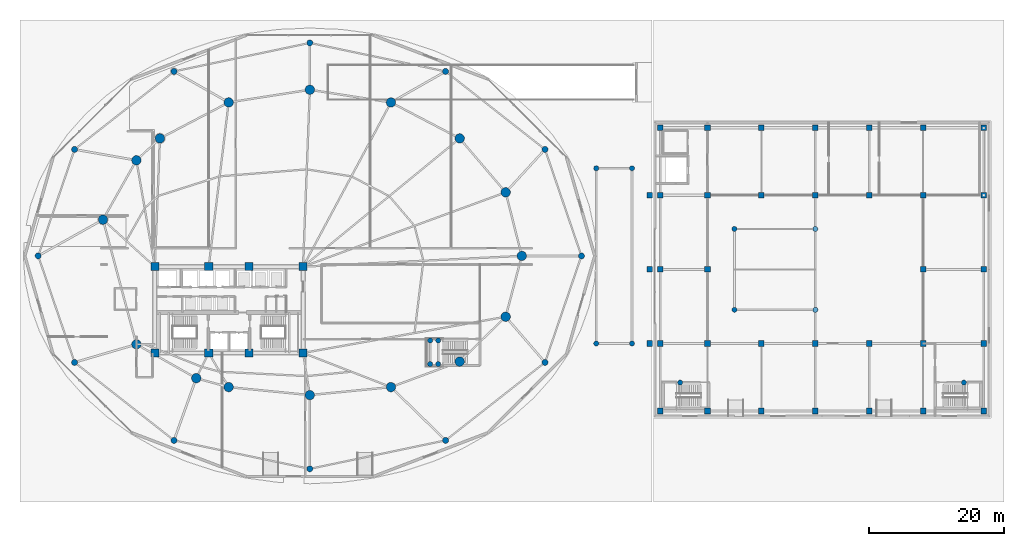
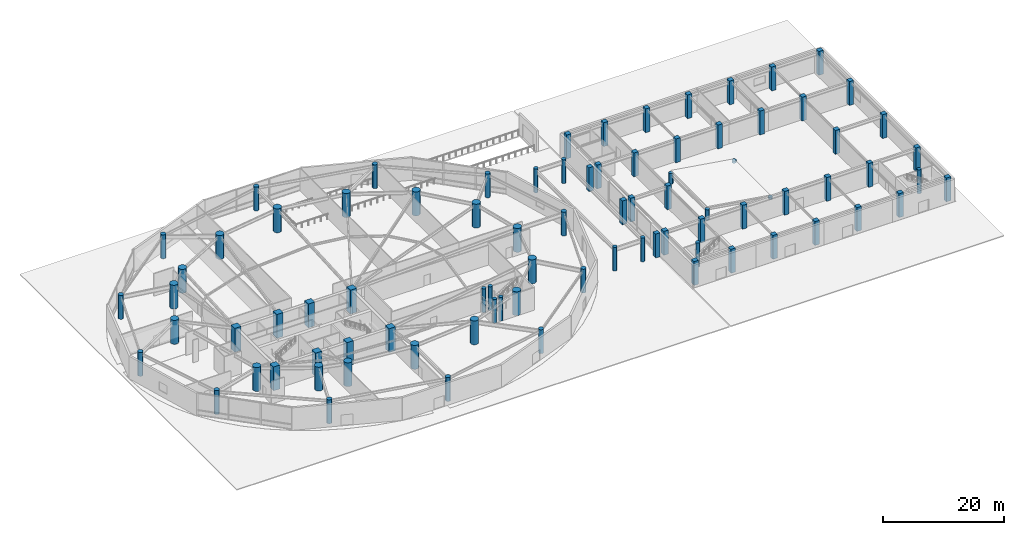
# One storey, part 1 of 35: 85 columns.
"""IFC4 building model written with IfcOpenShell, lengths in metres."""

from ifc_helpers import new_model, si_unit, direction, frame, origin, origin_2d, place, context, subcontext, project, spatial, rectangle, circle, extrude, material, material_profile, profile_set, type_object, element, save


model = new_model("IFC4")

# Units and contexts
model_context = context("Model", 3, precision=1e-05, world=origin(), true_north=direction((0.0, 1.0)))
body_context = subcontext(model_context, "Body", "Model", "MODEL_VIEW")
ifc_project = project(units=[si_unit("LENGTHUNIT", "METRE"), si_unit("AREAUNIT", "SQUARE_METRE"), si_unit("VOLUMEUNIT", "CUBIC_METRE"), si_unit("PLANEANGLEUNIT", "RADIAN"), si_unit("MASSUNIT", "GRAM", prefix="KILO")], contexts=[model_context])

# Site, building, storey
site_placement = place(None, origin())
site = spatial("IfcSite", under=ifc_project, at=site_placement, CompositionType="ELEMENT")
building_placement = place(site_placement, origin())
building = spatial("IfcBuilding", under=site, at=building_placement, Name="Kazevale Care Tower and Concert Hall", CompositionType="ELEMENT")
storey_placement = place(building_placement, origin())
storey = spatial("IfcBuildingStorey", under=building, at=storey_placement, Name="L00", CompositionType="ELEMENT", Elevation=0.0)

# Columns
ifc_material_1 = material(Name="Concrete C50", Category="concrete")
ifc_material_profile_1 = material_profile(ifc_material_1, rectangle(XDim=0.85009765625, YDim=0.85009765625, at=origin_2d()), Name="RC-SQ850")
ifc_profile_set_1 = profile_set([ifc_material_profile_1], Name="Concrete C50")
column_type_1 = type_object("IfcColumnType", Name="Concert Hall Column SQ850 C50", PredefinedType="COLUMN", material=ifc_profile_set_1)
for number, where, z_axis, x_axis, name in (
    (1, (97.0, 15.0, 0.0), (0.0, 0.0, 1.0), (1.0, 0.0, 0.0), "col:L00:HC-01"),
    (2, (97.0, 25.0, 0.0), (0.0, 0.0, 1.0), (1.0, 0.0, 0.0), "col:L00:HC-02"),
    (3, (97.0, 36.0, 0.0), (0.0, 0.0, 1.0), (1.0, 0.0, 0.0), "col:L00:HC-03"),
    (4, (97.0, 47.0, 0.0), (0.0, 0.0, 1.0), (1.0, 0.0, 0.0), "col:L00:HC-04"),
    (5, (97.0, 57.0, 0.0), (0.0, 0.0, 1.0), (1.0, 0.0, 0.0), "col:L00:HC-05"),
    (6, (104.0, 15.0, 0.0), (0.0, 0.0, 1.0), (1.0, 0.0, 0.0), "col:L00:HC-06"),
    (7, (104.0, 25.0, 0.0), (0.0, 0.0, 1.0), (1.0, 0.0, 0.0), "col:L00:HC-07"),
    (8, (104.0, 36.0, 0.0), (0.0, 0.0, 1.0), (1.0, 0.0, 0.0), "col:L00:HC-08"),
    (9, (104.0, 47.0, 0.0), (0.0, 0.0, 1.0), (1.0, 0.0, 0.0), "col:L00:HC-09"),
    (10, (104.0, 57.0, 0.0), (0.0, 0.0, 1.0), (1.0, 0.0, 0.0), "col:L00:HC-10"),
    (11, (112.0, 15.0, 0.0), (0.0, 0.0, 1.0), (1.0, 0.0, 0.0), "col:L00:HC-11"),
    (12, (112.0, 25.0, 0.0), (0.0, 0.0, 1.0), (1.0, 0.0, 0.0), "col:L00:HC-12"),
    (13, (112.0, 47.0, 0.0), (0.0, 0.0, 1.0), (1.0, 0.0, 0.0), "col:L00:HC-13"),
    (14, (112.0, 57.0, 0.0), (0.0, 0.0, 1.0), (1.0, 0.0, 0.0), "col:L00:HC-14"),
    (15, (120.0, 15.0, 0.0), (0.0, 0.0, 1.0), (1.0, 0.0, 0.0), "col:L00:HC-15"),
    (16, (120.0, 25.0, 0.0), (0.0, 0.0, 1.0), (1.0, 0.0, 0.0), "col:L00:HC-16"),
    (17, (120.0, 47.0, 0.0), (0.0, 0.0, 1.0), (1.0, 0.0, 0.0), "col:L00:HC-17"),
    (18, (120.0, 57.0, 0.0), (0.0, 0.0, 1.0), (1.0, 0.0, 0.0), "col:L00:HC-18"),
    (19, (128.0, 15.0, 0.0), (0.0, 0.0, 1.0), (1.0, 0.0, 0.0), "col:L00:HC-19"),
    (20, (128.0, 25.0, 0.0), (0.0, 0.0, 1.0), (1.0, 0.0, 0.0), "col:L00:HC-20"),
    (21, (128.0, 47.0, 0.0), (0.0, 0.0, 1.0), (1.0, 0.0, 0.0), "col:L00:HC-21"),
    (22, (128.0, 57.0, 0.0), (0.0, 0.0, 1.0), (1.0, 0.0, 0.0), "col:L00:HC-22"),
    (23, (136.0, 15.0, 0.0), (0.0, 0.0, 1.0), (1.0, 0.0, 0.0), "col:L00:HC-23"),
    (24, (136.0, 25.0, 0.0), (0.0, 0.0, 1.0), (1.0, 0.0, 0.0), "col:L00:HC-24"),
    (25, (136.0, 36.0, 0.0), (0.0, 0.0, 1.0), (1.0, 0.0, 0.0), "col:L00:HC-25"),
    (26, (136.0, 47.0, 0.0), (0.0, 0.0, 1.0), (1.0, 0.0, 0.0), "col:L00:HC-26"),
    (27, (136.0, 57.0, 0.0), (0.0, 0.0, 1.0), (1.0, 0.0, 0.0), "col:L00:HC-27"),
    (28, (145.0, 15.0, 0.0), (0.0, 0.0, 1.0), (1.0, 0.0, 0.0), "col:L00:HC-28"),
    (29, (145.0, 25.0, 0.0), (0.0, 0.0, 1.0), (1.0, 0.0, 0.0), "col:L00:HC-29"),
    (30, (145.0, 36.0, 0.0), (0.0, 0.0, 1.0), (1.0, 0.0, 0.0), "col:L00:HC-30"),
    (31, (145.0, 47.0, 0.0), (0.0, 0.0, 1.0), (1.0, 0.0, 0.0), "col:L00:HC-31"),
    (32, (145.0, 57.0, 0.0), (0.0, 0.0, 1.0), (1.0, 0.0, 0.0), "col:L00:HC-32"),
    (33, (95.449951171875, 25.0, 0.0), (0.0, 0.0, 1.0), (1.0, 0.0, 0.0), "col:L00:bseat:1"),
    (34, (95.449951171875, 36.0, 0.0), (0.0, 0.0, 1.0), (1.0, 0.0, 0.0), "col:L00:bseat:2"),
    (35, (95.449951171875, 47.0, 0.0), (0.0, 0.0, 1.0), (1.0, 0.0, 0.0), "col:L00:bseat:3"),
):
    element("IfcColumn", number, at=place(storey_placement, frame(where, z_axis=z_axis, x_axis=x_axis)), inside=storey, type_object=column_type_1, Name=name, PredefinedType="COLUMN", context=body_context, shape_type="SweptSolid", body=[
        extrude(rectangle(XDim=0.85009765625, YDim=0.85009765625, at=origin_2d()), origin(), (0.0, 0.0, 1.0), 4.800048828125),
    ])
ifc_material_2 = material(Name="Concrete C70", Category="concrete")
ifc_material_profile_2 = material_profile(ifc_material_2, rectangle(XDim=1.199951171875, YDim=1.199951171875, at=origin_2d()), Name="RC-SQ1200")
ifc_profile_set_2 = profile_set([ifc_material_profile_2], Name="Concrete C70")
column_type_2 = type_object("IfcColumnType", Name="Core Column SQ1200 C70", PredefinedType="COLUMN", material=ifc_profile_set_2)
for number, where, z_axis, x_axis, name in (
    (36, (22.0, 23.60009765625, 0.0), (0.0, 0.0, 1.0), (1.0, 0.0, 0.0), "col:L00:CC-01"),
    (37, (30.0, 23.60009765625, 0.0), (0.0, 0.0, 1.0), (1.0, 0.0, 0.0), "col:L00:CC-02"),
    (38, (36.0, 23.60009765625, 0.0), (0.0, 0.0, 1.0), (1.0, 0.0, 0.0), "col:L00:CC-03"),
    (39, (44.0, 23.60009765625, 0.0), (0.0, 0.0, 1.0), (1.0, 0.0, 0.0), "col:L00:CC-04"),
    (40, (44.0, 36.39990234375, 0.0), (0.0, 0.0, 1.0), (1.0, 0.0, 0.0), "col:L00:CC-05"),
    (41, (36.0, 36.39990234375, 0.0), (0.0, 0.0, 1.0), (1.0, 0.0, 0.0), "col:L00:CC-06"),
    (42, (30.0, 36.39990234375, 0.0), (0.0, 0.0, 1.0), (1.0, 0.0, 0.0), "col:L00:CC-07"),
    (43, (22.0, 36.39990234375, 0.0), (0.0, 0.0, 1.0), (1.0, 0.0, 0.0), "col:L00:CC-08"),
):
    element("IfcColumn", number, at=place(storey_placement, frame(where, z_axis=z_axis, x_axis=x_axis)), inside=storey, type_object=column_type_2, Name=name, PredefinedType="COLUMN", context=body_context, shape_type="SweptSolid", body=[
        extrude(rectangle(XDim=1.199951171875, YDim=1.199951171875, at=origin_2d()), origin(), (0.0, 0.0, 1.0), 4.800048828125),
    ])
ifc_material_profile_3 = material_profile(ifc_material_1, circle(Radius=0.375, at=origin_2d()), Name="RC-CIR750")
ifc_profile_set_3 = profile_set([ifc_material_profile_3], Name="Concrete C50")
column_type_3 = type_object("IfcColumnType", Name="Garden & Support Column CIR750 C50", PredefinedType="COLUMN", material=ifc_profile_set_3)
for number, where, z_axis, x_axis, name in (
    (44, (87.5, 25.0, 0.0), (0.0, 0.0, 1.0), (1.0, 0.0, 0.0), "col:L00:GC-01"),
    (45, (92.800048828125, 25.0, 0.0), (0.0, 0.0, 1.0), (1.0, 0.0, 0.0), "col:L00:GC-02"),
    (46, (92.800048828125, 51.0, 0.0), (0.0, 0.0, 1.0), (1.0, 0.0, 0.0), "col:L00:GC-03"),
    (47, (87.5, 51.0, 0.0), (0.0, 0.0, 1.0), (1.0, 0.0, 0.0), "col:L00:GC-04"),
    (48, (62.85009765625, 21.949951171875, 0.0), (0.0, 0.0, 1.0), (1.0, 0.0, 0.0), "col:L00:st3post:628_21"),
    (49, (62.85009765625, 25.449951171875, 0.0), (0.0, 0.0, 1.0), (1.0, 0.0, 0.0), "col:L00:st3post:628_25"),
    (50, (64.050048828125, 21.949951171875, 0.0), (0.0, 0.0, 1.0), (1.0, 0.0, 0.0), "col:L00:st3post:640_21"),
    (51, (64.050048828125, 25.449951171875, 0.0), (0.0, 0.0, 1.0), (1.0, 0.0, 0.0), "col:L00:st3post:640_25"),
    (52, (99.949951171875, 19.199951171875, 0.0), (0.0, 0.0, 1.0), (1.0, 0.0, 0.0), "col:L00:ST4:npost"),
    (53, (142.050048828125, 19.199951171875, 0.0), (0.0, 0.0, 1.0), (1.0, 0.0, 0.0), "col:L00:ST5:npost"),
):
    element("IfcColumn", number, at=place(storey_placement, frame(where, z_axis=z_axis, x_axis=x_axis)), inside=storey, type_object=column_type_3, Name=name, PredefinedType="COLUMN", context=body_context, shape_type="SweptSolid", body=[
        extrude(circle(Radius=0.375, at=origin_2d()), origin(), (0.0, 0.0, 1.0), 4.800048828125),
    ])
for number, where, z_axis, x_axis, name in (
    (54, (108.0, 30.0, 0.0), (0.0, 0.0, 1.0), (1.0, 0.0, 0.0), "col:L00:RKC-1"),
    (55, (108.0, 42.0, 0.0), (0.0, 0.0, 1.0), (1.0, 0.0, 0.0), "col:L00:RKC-2"),
):
    element("IfcColumn", number, at=place(storey_placement, frame(where, z_axis=z_axis, x_axis=x_axis)), inside=storey, type_object=column_type_3, Name=name, PredefinedType="COLUMN", context=body_context, shape_type="SweptSolid", body=[
        extrude(circle(Radius=0.375, at=origin_2d()), origin(), (0.0, 0.0, 1.0), 2.1298828125),
    ])
for number, where, z_axis, x_axis, name in (
    (56, (120.0, 30.0, 0.0), (0.0, 0.0, 1.0), (1.0, 0.0, 0.0), "col:L00:rkfront:1"),
    (57, (120.0, 42.0, 0.0), (0.0, 0.0, 1.0), (1.0, 0.0, 0.0), "col:L00:rkfront:2"),
):
    element("IfcColumn", number, at=place(storey_placement, frame(where, z_axis=z_axis, x_axis=x_axis)), inside=storey, type_object=column_type_3, Name=name, PredefinedType="COLUMN", context=body_context, shape_type="SweptSolid", body=[
        extrude(circle(Radius=0.375, at=origin_2d()), origin(), (0.0, 0.0, 1.0), 0.43994140625),
    ])
ifc_material_profile_4 = material_profile(ifc_material_2, circle(Radius=0.699951171875, at=origin_2d()), Name="RC-CIR1400")
ifc_profile_set_4 = profile_set([ifc_material_profile_4], Name="Concrete C70")
column_type_4 = type_object("IfcColumnType", Name="Perimeter Column CIR1400 C70", PredefinedType="COLUMN", material=ifc_profile_set_4)
for number, where, z_axis, x_axis, name in (
    (58, (76.449951171875, 38.0, 0.0), (0.0, 0.0, 1.0), (1.0, 0.0, 0.0), "col:L00:PC-01"),
    (59, (74.06005859375, 47.429931640625, 0.0), (0.0, 0.0, 1.0), (1.0, 0.0, 0.0), "col:L00:PC-02"),
    (60, (67.239990234375, 55.429931640625, 0.0), (0.0, 0.0, 1.0), (1.0, 0.0, 0.0), "col:L00:PC-03"),
    (61, (57.0400390625, 60.77001953125, 0.0), (0.0, 0.0, 1.0), (1.0, 0.0, 0.0), "col:L00:PC-04"),
    (62, (45.0, 62.64990234375, 0.0), (0.0, 0.0, 1.0), (1.0, 0.0, 0.0), "col:L00:PC-05"),
    (63, (32.9599609375, 60.77001953125, 0.0), (0.0, 0.0, 1.0), (1.0, 0.0, 0.0), "col:L00:PC-06"),
    (64, (22.760009765625, 55.429931640625, 0.0), (0.0, 0.0, 1.0), (1.0, 0.0, 0.0), "col:L00:PC-07"),
    (65, (19.27001953125, 52.179931640625, 0.0), (0.0, 0.0, 1.0), (1.0, 0.0, 0.0), "col:L00:PC-08"),
    (66, (14.31005859375, 43.3798828125, 0.0), (0.0, 0.0, 1.0), (1.0, 0.0, 0.0), "col:L00:PC-09"),
    (67, (19.27001953125, 24.8798828125, 0.0), (0.0, 0.0, 1.0), (1.0, 0.0, 0.0), "col:L00:PC-10"),
    (68, (28.14990234375, 19.85009765625, 0.0), (0.0, 0.0, 1.0), (1.0, 0.0, 0.0), "col:L00:PC-11"),
    (69, (32.9599609375, 18.530029296875, 0.0), (0.0, 0.0, 1.0), (1.0, 0.0, 0.0), "col:L00:PC-12"),
    (70, (45.0, 17.35009765625, 0.0), (0.0, 0.0, 1.0), (1.0, 0.0, 0.0), "col:L00:PC-13"),
    (71, (57.0400390625, 18.530029296875, 0.0), (0.0, 0.0, 1.0), (1.0, 0.0, 0.0), "col:L00:PC-14"),
    (72, (67.239990234375, 22.31005859375, 0.0), (0.0, 0.0, 1.0), (1.0, 0.0, 0.0), "col:L00:PC-15"),
    (73, (74.06005859375, 28.969970703125, 0.0), (0.0, 0.0, 1.0), (1.0, 0.0, 0.0), "col:L00:PC-16"),
):
    element("IfcColumn", number, at=place(storey_placement, frame(where, z_axis=z_axis, x_axis=x_axis)), inside=storey, type_object=column_type_4, Name=name, PredefinedType="COLUMN", context=body_context, shape_type="SweptSolid", body=[
        extrude(circle(Radius=0.699951171875, at=origin_2d()), origin(), (0.0, 0.0, 1.0), 4.800048828125),
    ])
ifc_material_3 = material(Name="Concrete C60", Category="concrete")
ifc_material_profile_5 = material_profile(ifc_material_3, circle(Radius=0.449951171875, at=origin_2d()), Name="RC-CIR900")
ifc_profile_set_5 = profile_set([ifc_material_profile_5], Name="Concrete C60")
column_type_5 = type_object("IfcColumnType", Name="Podium Column CIR900 C60", PredefinedType="COLUMN", material=ifc_profile_set_5)
for number, where, z_axis, x_axis, name in (
    (74, (85.300048828125, 38.0, 0.0), (0.0, 0.0, 1.0), (1.0, 0.0, 0.0), "col:L00:PDC-01"),
    (75, (79.89990234375, 53.800048828125, 0.0), (0.0, 0.0, 1.0), (1.0, 0.0, 0.0), "col:L00:PDC-02"),
    (76, (65.14990234375, 65.3701171875, 0.0), (0.0, 0.0, 1.0), (1.0, 0.0, 0.0), "col:L00:PDC-03"),
    (77, (45.0, 69.60009765625, 0.0), (0.0, 0.0, 1.0), (1.0, 0.0, 0.0), "col:L00:PDC-04"),
    (78, (24.85009765625, 65.3701171875, 0.0), (0.0, 0.0, 1.0), (1.0, 0.0, 0.0), "col:L00:PDC-05"),
    (79, (10.10009765625, 53.800048828125, 0.0), (0.0, 0.0, 1.0), (1.0, 0.0, 0.0), "col:L00:PDC-06"),
    (80, (4.699951171875, 38.0, 0.0), (0.0, 0.0, 1.0), (1.0, 0.0, 0.0), "col:L00:PDC-07"),
    (81, (10.10009765625, 22.199951171875, 0.0), (0.0, 0.0, 1.0), (1.0, 0.0, 0.0), "col:L00:PDC-08"),
    (82, (24.85009765625, 10.6298828125, 0.0), (0.0, 0.0, 1.0), (1.0, 0.0, 0.0), "col:L00:PDC-09"),
    (83, (45.0, 6.39990234375, 0.0), (0.0, 0.0, 1.0), (1.0, 0.0, 0.0), "col:L00:PDC-10"),
    (84, (65.14990234375, 10.6298828125, 0.0), (0.0, 0.0, 1.0), (1.0, 0.0, 0.0), "col:L00:PDC-11"),
    (85, (79.89990234375, 22.199951171875, 0.0), (0.0, 0.0, 1.0), (1.0, 0.0, 0.0), "col:L00:PDC-12"),
):
    element("IfcColumn", number, at=place(storey_placement, frame(where, z_axis=z_axis, x_axis=x_axis)), inside=storey, type_object=column_type_5, Name=name, PredefinedType="COLUMN", context=body_context, shape_type="SweptSolid", body=[
        extrude(circle(Radius=0.449951171875, at=origin_2d()), origin(), (0.0, 0.0, 1.0), 4.800048828125),
    ])

save(model, "model.ifc")
